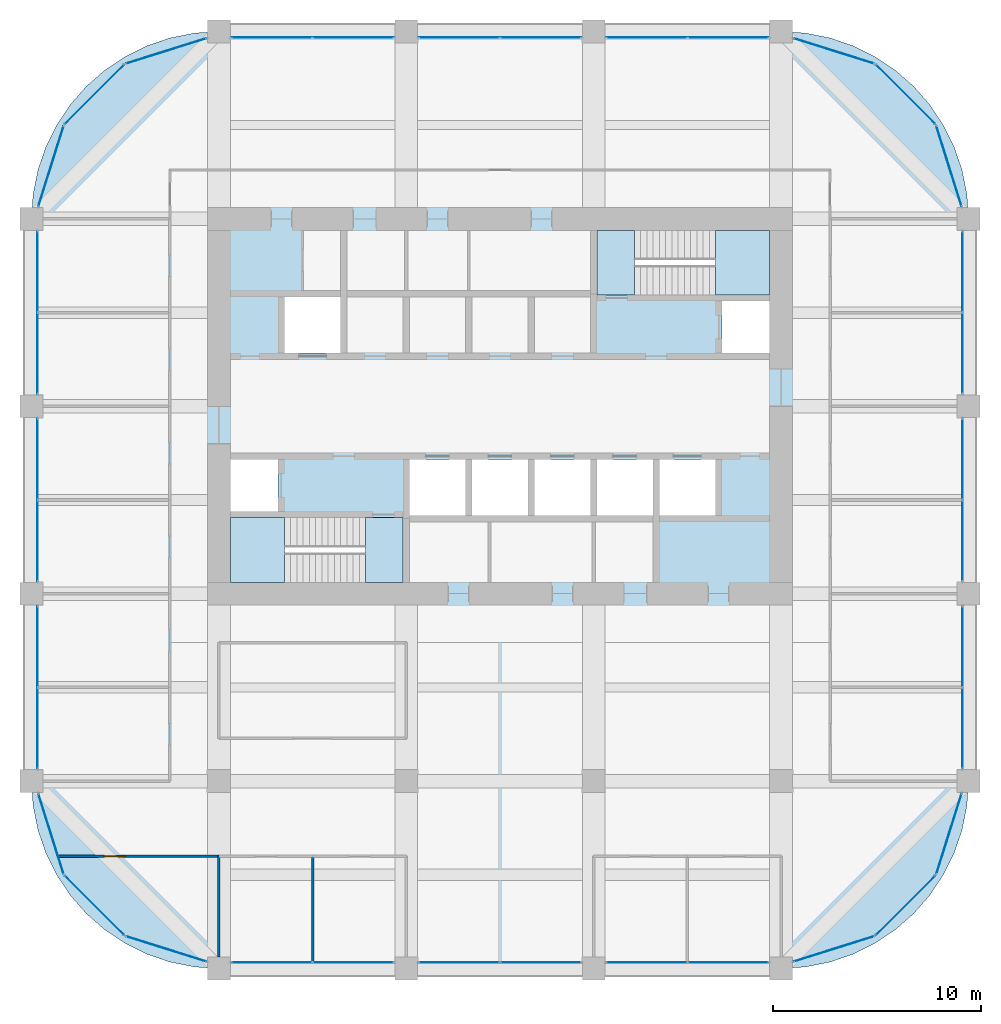
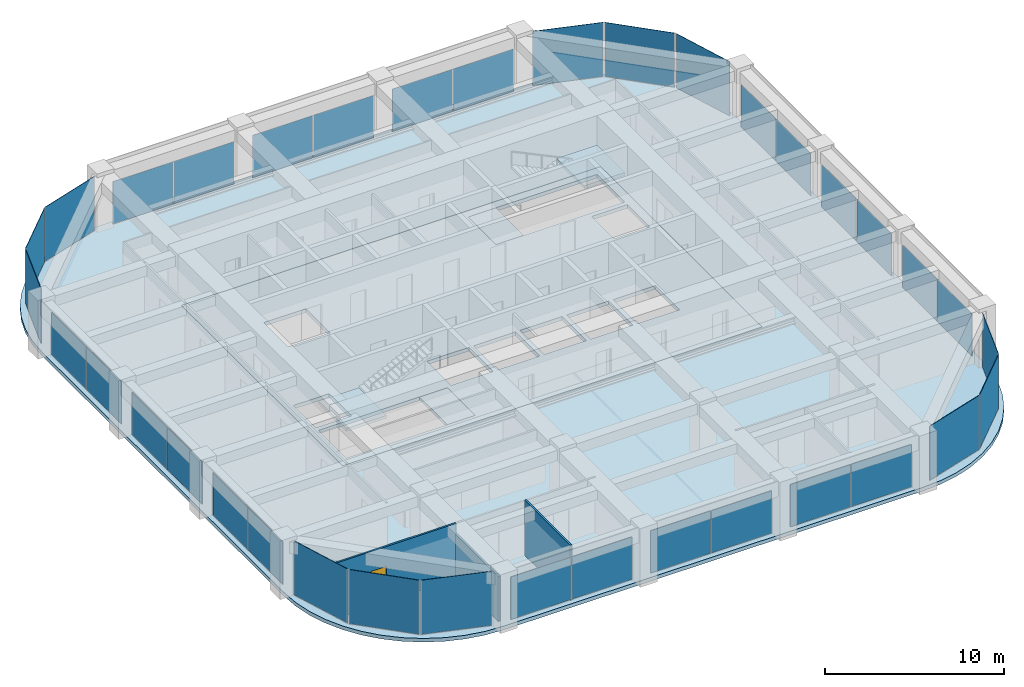
# One storey, part 40 of 44: 36 plates, 6 slabs, 3 walls, 1 door, 1 opening, 26 elements without a shape of their own.
"""IFC4 building model written with IfcOpenShell, lengths in metres."""

from ifc_helpers import new_model, si_unit, direction, frame, frame_2d, origin, origin_2d, place, context, subcontext, project, spatial, polyline, rectangle, outline, extrude, material, layer, layer_set, type_object, element, fill, aggregate, save


model = new_model("IFC4")

# Units and contexts
model_context = context("Model", 3, precision=1e-05, world=origin(), true_north=direction((0.0, 1.0)))
body_context = subcontext(model_context, "Body", "Model", "MODEL_VIEW")
ifc_project = project(units=[si_unit("LENGTHUNIT", "METRE"), si_unit("AREAUNIT", "SQUARE_METRE"), si_unit("VOLUMEUNIT", "CUBIC_METRE"), si_unit("PLANEANGLEUNIT", "RADIAN"), si_unit("MASSUNIT", "GRAM", prefix="KILO")], contexts=[model_context])

# Site, building, storey
site_placement = place(None, origin())
site = spatial("IfcSite", under=ifc_project, at=site_placement, CompositionType="ELEMENT")
building_placement = place(site_placement, origin())
building = spatial("IfcBuilding", under=site, at=building_placement, Name="Zorevar Civic Tower", CompositionType="ELEMENT")
storey_placement = place(building_placement, frame((0.0, 0.0, 259.39990234375)))
storey = spatial("IfcBuildingStorey", under=building, at=storey_placement, Name="L63", CompositionType="ELEMENT", Elevation=259.39990234375)

# Curtain wall, plates
ifc_material_1 = material(Name="Dark grey solar-control glass in black aluminium frame", Category="aluminium")
curtain_wall_type = type_object("IfcCurtainWallType", Name="Curtain wall CW5 top zone", PredefinedType="NOTDEFINED", material=ifc_material_1)
curtain_wall_1_placement = place(storey_placement, origin())
curtain_wall_1 = element("IfcCurtainWall", 1, at=curtain_wall_1_placement, inside=storey, type_object=curtain_wall_type, Name="CW5 L63", PredefinedType="NOTDEFINED")
ifc_material_2 = material(Name="Dark grey solar-control glass", Category="glass")
ifc_layer_1 = layer(ifc_material_2, 0.028076171875)
ifc_layer_set_1 = layer_set([ifc_layer_1], Name="CW5 panel 28")
plate_type = type_object("IfcPlateType", Name="CW5 panel 28", PredefinedType="CURTAIN_PANEL", material=ifc_layer_set_1)
plate_1_placement = place(storey_placement, frame((20.5400390625, 0.300048828125, 0.06005859375), z_axis=(0.0, 0.0, 1.0), x_axis=(1.0, 0.0, 0.0)))
plate_1 = element("IfcPlate", 2, at=plate_1_placement, type_object=plate_type, Name="CW5 panel 1.1", PredefinedType="CURTAIN_PANEL", context=body_context, shape_type="SweptSolid", body=[
    extrude(rectangle(XDim=3.860107421875, YDim=0.028076171875, at=origin_2d()), origin(), (0.0, 0.0, 1.0), 2.889892578125),
])
plate_2_placement = place(storey_placement, frame((24.4599609375, 0.300048828125, 0.06005859375), z_axis=(0.0, 0.0, 1.0), x_axis=(1.0, 0.0, 0.0)))
plate_2 = element("IfcPlate", 3, at=plate_2_placement, type_object=plate_type, Name="CW5 panel 2.1", PredefinedType="CURTAIN_PANEL", context=body_context, shape_type="SweptSolid", body=[
    extrude(rectangle(XDim=3.860107421875, YDim=0.028076171875, at=origin_2d()), origin(), (0.0, 0.0, 1.0), 2.889892578125),
])
aggregate(curtain_wall_1, [plate_1, plate_2])

curtain_wall_2_placement = place(storey_placement, origin())
curtain_wall_2 = element("IfcCurtainWall", 4, at=curtain_wall_2_placement, inside=storey, type_object=curtain_wall_type, Name="CW5 L63", PredefinedType="NOTDEFINED")
plate_3_placement = place(storey_placement, frame((20.5400390625, 44.699951171875, 0.06005859375), z_axis=(0.0, 0.0, 1.0), x_axis=(1.0, 0.0, 0.0)))
plate_3 = element("IfcPlate", 5, at=plate_3_placement, type_object=plate_type, Name="CW5 panel 1.1", PredefinedType="CURTAIN_PANEL", context=body_context, shape_type="SweptSolid", body=[
    extrude(rectangle(XDim=3.860107421875, YDim=0.028076171875, at=origin_2d()), origin(), (0.0, 0.0, 1.0), 2.889892578125),
])
plate_4_placement = place(storey_placement, frame((24.4599609375, 44.699951171875, 0.06005859375), z_axis=(0.0, 0.0, 1.0), x_axis=(1.0, 0.0, 0.0)))
plate_4 = element("IfcPlate", 6, at=plate_4_placement, type_object=plate_type, Name="CW5 panel 2.1", PredefinedType="CURTAIN_PANEL", context=body_context, shape_type="SweptSolid", body=[
    extrude(rectangle(XDim=3.860107421875, YDim=0.028076171875, at=origin_2d()), origin(), (0.0, 0.0, 1.0), 2.889892578125),
])
aggregate(curtain_wall_2, [plate_3, plate_4])

curtain_wall_3_placement = place(storey_placement, origin())
curtain_wall_3 = element("IfcCurtainWall", 7, at=curtain_wall_3_placement, inside=storey, type_object=curtain_wall_type, Name="CW5 L63", PredefinedType="NOTDEFINED")
plate_5_placement = place(storey_placement, frame((29.5400390625, 0.300048828125, 0.06005859375), z_axis=(0.0, 0.0, 1.0), x_axis=(1.0, 0.0, 0.0)))
plate_5 = element("IfcPlate", 8, at=plate_5_placement, type_object=plate_type, Name="CW5 panel 1.1", PredefinedType="CURTAIN_PANEL", context=body_context, shape_type="SweptSolid", body=[
    extrude(rectangle(XDim=3.860107421875, YDim=0.028076171875, at=origin_2d()), origin(), (0.0, 0.0, 1.0), 2.889892578125),
])
plate_6_placement = place(storey_placement, frame((33.4599609375, 0.300048828125, 0.06005859375), z_axis=(0.0, 0.0, 1.0), x_axis=(1.0, 0.0, 0.0)))
plate_6 = element("IfcPlate", 9, at=plate_6_placement, type_object=plate_type, Name="CW5 panel 2.1", PredefinedType="CURTAIN_PANEL", context=body_context, shape_type="SweptSolid", body=[
    extrude(rectangle(XDim=3.860107421875, YDim=0.028076171875, at=origin_2d()), origin(), (0.0, 0.0, 1.0), 2.889892578125),
])
aggregate(curtain_wall_3, [plate_5, plate_6])

curtain_wall_4_placement = place(storey_placement, origin())
curtain_wall_4 = element("IfcCurtainWall", 10, at=curtain_wall_4_placement, inside=storey, type_object=curtain_wall_type, Name="CW5 L63", PredefinedType="NOTDEFINED")
plate_7_placement = place(storey_placement, frame((29.5400390625, 44.699951171875, 0.06005859375), z_axis=(0.0, 0.0, 1.0), x_axis=(1.0, 0.0, 0.0)))
plate_7 = element("IfcPlate", 11, at=plate_7_placement, type_object=plate_type, Name="CW5 panel 1.1", PredefinedType="CURTAIN_PANEL", context=body_context, shape_type="SweptSolid", body=[
    extrude(rectangle(XDim=3.860107421875, YDim=0.028076171875, at=origin_2d()), origin(), (0.0, 0.0, 1.0), 2.889892578125),
])
plate_8_placement = place(storey_placement, frame((33.4599609375, 44.699951171875, 0.06005859375), z_axis=(0.0, 0.0, 1.0), x_axis=(1.0, 0.0, 0.0)))
plate_8 = element("IfcPlate", 12, at=plate_8_placement, type_object=plate_type, Name="CW5 panel 2.1", PredefinedType="CURTAIN_PANEL", context=body_context, shape_type="SweptSolid", body=[
    extrude(rectangle(XDim=3.860107421875, YDim=0.028076171875, at=origin_2d()), origin(), (0.0, 0.0, 1.0), 2.889892578125),
])
aggregate(curtain_wall_4, [plate_7, plate_8])

curtain_wall_5_placement = place(storey_placement, origin())
curtain_wall_5 = element("IfcCurtainWall", 13, at=curtain_wall_5_placement, inside=storey, type_object=curtain_wall_type, Name="CW5 L63", PredefinedType="NOTDEFINED")
plate_9_placement = place(storey_placement, frame((38.5400390625, 0.300048828125, 0.06005859375), z_axis=(0.0, 0.0, 1.0), x_axis=(1.0, 0.0, 0.0)))
plate_9 = element("IfcPlate", 14, at=plate_9_placement, type_object=plate_type, Name="CW5 panel 1.1", PredefinedType="CURTAIN_PANEL", context=body_context, shape_type="SweptSolid", body=[
    extrude(rectangle(XDim=3.860107421875, YDim=0.028076171875, at=origin_2d()), origin(), (0.0, 0.0, 1.0), 2.889892578125),
])
plate_10_placement = place(storey_placement, frame((42.4599609375, 0.300048828125, 0.06005859375), z_axis=(0.0, 0.0, 1.0), x_axis=(1.0, 0.0, 0.0)))
plate_10 = element("IfcPlate", 15, at=plate_10_placement, type_object=plate_type, Name="CW5 panel 2.1", PredefinedType="CURTAIN_PANEL", context=body_context, shape_type="SweptSolid", body=[
    extrude(rectangle(XDim=3.860107421875, YDim=0.028076171875, at=origin_2d()), origin(), (0.0, 0.0, 1.0), 2.889892578125),
])
aggregate(curtain_wall_5, [plate_9, plate_10])

curtain_wall_6_placement = place(storey_placement, origin())
curtain_wall_6 = element("IfcCurtainWall", 16, at=curtain_wall_6_placement, inside=storey, type_object=curtain_wall_type, Name="CW5 L63", PredefinedType="NOTDEFINED")
plate_11_placement = place(storey_placement, frame((38.5400390625, 44.699951171875, 0.06005859375), z_axis=(0.0, 0.0, 1.0), x_axis=(1.0, 0.0, 0.0)))
plate_11 = element("IfcPlate", 17, at=plate_11_placement, type_object=plate_type, Name="CW5 panel 1.1", PredefinedType="CURTAIN_PANEL", context=body_context, shape_type="SweptSolid", body=[
    extrude(rectangle(XDim=3.860107421875, YDim=0.028076171875, at=origin_2d()), origin(), (0.0, 0.0, 1.0), 2.889892578125),
])
plate_12_placement = place(storey_placement, frame((42.4599609375, 44.699951171875, 0.06005859375), z_axis=(0.0, 0.0, 1.0), x_axis=(1.0, 0.0, 0.0)))
plate_12 = element("IfcPlate", 18, at=plate_12_placement, type_object=plate_type, Name="CW5 panel 2.1", PredefinedType="CURTAIN_PANEL", context=body_context, shape_type="SweptSolid", body=[
    extrude(rectangle(XDim=3.860107421875, YDim=0.028076171875, at=origin_2d()), origin(), (0.0, 0.0, 1.0), 2.889892578125),
])
aggregate(curtain_wall_6, [plate_11, plate_12])

curtain_wall_7_placement = place(storey_placement, origin())
curtain_wall_7 = element("IfcCurtainWall", 19, at=curtain_wall_7_placement, inside=storey, type_object=curtain_wall_type, Name="CW5 L63", PredefinedType="NOTDEFINED")
plate_13_placement = place(storey_placement, frame((9.300048828125, 11.5400390625, 0.06005859375), z_axis=(0.0, 0.0, 1.0), x_axis=(0.0, 1.0, 0.0)))
plate_13 = element("IfcPlate", 20, at=plate_13_placement, type_object=plate_type, Name="CW5 panel 1.1", PredefinedType="CURTAIN_PANEL", context=body_context, shape_type="SweptSolid", body=[
    extrude(rectangle(XDim=3.860107421875, YDim=0.028076171875, at=origin_2d()), origin(), (0.0, 0.0, 1.0), 2.889892578125),
])
plate_14_placement = place(storey_placement, frame((9.300048828125, 15.4599609375, 0.06005859375), z_axis=(0.0, 0.0, 1.0), x_axis=(0.0, 1.0, 0.0)))
plate_14 = element("IfcPlate", 21, at=plate_14_placement, type_object=plate_type, Name="CW5 panel 2.1", PredefinedType="CURTAIN_PANEL", context=body_context, shape_type="SweptSolid", body=[
    extrude(rectangle(XDim=3.860107421875, YDim=0.028076171875, at=origin_2d()), origin(), (0.0, 0.0, 1.0), 2.889892578125),
])
aggregate(curtain_wall_7, [plate_13, plate_14])

curtain_wall_8_placement = place(storey_placement, origin())
curtain_wall_8 = element("IfcCurtainWall", 22, at=curtain_wall_8_placement, inside=storey, type_object=curtain_wall_type, Name="CW5 L63", PredefinedType="NOTDEFINED")
plate_15_placement = place(storey_placement, frame((53.699951171875, 11.5400390625, 0.06005859375), z_axis=(0.0, 0.0, 1.0), x_axis=(0.0, 1.0, 0.0)))
plate_15 = element("IfcPlate", 23, at=plate_15_placement, type_object=plate_type, Name="CW5 panel 1.1", PredefinedType="CURTAIN_PANEL", context=body_context, shape_type="SweptSolid", body=[
    extrude(rectangle(XDim=3.860107421875, YDim=0.028076171875, at=origin_2d()), origin(), (0.0, 0.0, 1.0), 2.889892578125),
])
plate_16_placement = place(storey_placement, frame((53.699951171875, 15.4599609375, 0.06005859375), z_axis=(0.0, 0.0, 1.0), x_axis=(0.0, 1.0, 0.0)))
plate_16 = element("IfcPlate", 24, at=plate_16_placement, type_object=plate_type, Name="CW5 panel 2.1", PredefinedType="CURTAIN_PANEL", context=body_context, shape_type="SweptSolid", body=[
    extrude(rectangle(XDim=3.860107421875, YDim=0.028076171875, at=origin_2d()), origin(), (0.0, 0.0, 1.0), 2.889892578125),
])
aggregate(curtain_wall_8, [plate_15, plate_16])

curtain_wall_9_placement = place(storey_placement, origin())
curtain_wall_9 = element("IfcCurtainWall", 25, at=curtain_wall_9_placement, inside=storey, type_object=curtain_wall_type, Name="CW5 L63", PredefinedType="NOTDEFINED")
plate_17_placement = place(storey_placement, frame((9.300048828125, 20.5400390625, 0.06005859375), z_axis=(0.0, 0.0, 1.0), x_axis=(0.0, 1.0, 0.0)))
plate_17 = element("IfcPlate", 26, at=plate_17_placement, type_object=plate_type, Name="CW5 panel 1.1", PredefinedType="CURTAIN_PANEL", context=body_context, shape_type="SweptSolid", body=[
    extrude(rectangle(XDim=3.860107421875, YDim=0.028076171875, at=origin_2d()), origin(), (0.0, 0.0, 1.0), 2.889892578125),
])
plate_18_placement = place(storey_placement, frame((9.300048828125, 24.4599609375, 0.06005859375), z_axis=(0.0, 0.0, 1.0), x_axis=(0.0, 1.0, 0.0)))
plate_18 = element("IfcPlate", 27, at=plate_18_placement, type_object=plate_type, Name="CW5 panel 2.1", PredefinedType="CURTAIN_PANEL", context=body_context, shape_type="SweptSolid", body=[
    extrude(rectangle(XDim=3.860107421875, YDim=0.028076171875, at=origin_2d()), origin(), (0.0, 0.0, 1.0), 2.889892578125),
])
aggregate(curtain_wall_9, [plate_17, plate_18])

curtain_wall_10_placement = place(storey_placement, origin())
curtain_wall_10 = element("IfcCurtainWall", 28, at=curtain_wall_10_placement, inside=storey, type_object=curtain_wall_type, Name="CW5 L63", PredefinedType="NOTDEFINED")
plate_19_placement = place(storey_placement, frame((53.699951171875, 20.5400390625, 0.06005859375), z_axis=(0.0, 0.0, 1.0), x_axis=(0.0, 1.0, 0.0)))
plate_19 = element("IfcPlate", 29, at=plate_19_placement, type_object=plate_type, Name="CW5 panel 1.1", PredefinedType="CURTAIN_PANEL", context=body_context, shape_type="SweptSolid", body=[
    extrude(rectangle(XDim=3.860107421875, YDim=0.028076171875, at=origin_2d()), origin(), (0.0, 0.0, 1.0), 2.889892578125),
])
plate_20_placement = place(storey_placement, frame((53.699951171875, 24.4599609375, 0.06005859375), z_axis=(0.0, 0.0, 1.0), x_axis=(0.0, 1.0, 0.0)))
plate_20 = element("IfcPlate", 30, at=plate_20_placement, type_object=plate_type, Name="CW5 panel 2.1", PredefinedType="CURTAIN_PANEL", context=body_context, shape_type="SweptSolid", body=[
    extrude(rectangle(XDim=3.860107421875, YDim=0.028076171875, at=origin_2d()), origin(), (0.0, 0.0, 1.0), 2.889892578125),
])
aggregate(curtain_wall_10, [plate_19, plate_20])

curtain_wall_11_placement = place(storey_placement, origin())
curtain_wall_11 = element("IfcCurtainWall", 31, at=curtain_wall_11_placement, inside=storey, type_object=curtain_wall_type, Name="CW5 L63", PredefinedType="NOTDEFINED")
plate_21_placement = place(storey_placement, frame((9.300048828125, 29.5400390625, 0.06005859375), z_axis=(0.0, 0.0, 1.0), x_axis=(0.0, 1.0, 0.0)))
plate_21 = element("IfcPlate", 32, at=plate_21_placement, type_object=plate_type, Name="CW5 panel 1.1", PredefinedType="CURTAIN_PANEL", context=body_context, shape_type="SweptSolid", body=[
    extrude(rectangle(XDim=3.860107421875, YDim=0.028076171875, at=origin_2d()), origin(), (0.0, 0.0, 1.0), 2.889892578125),
])
plate_22_placement = place(storey_placement, frame((9.300048828125, 33.4599609375, 0.06005859375), z_axis=(0.0, 0.0, 1.0), x_axis=(0.0, 1.0, 0.0)))
plate_22 = element("IfcPlate", 33, at=plate_22_placement, type_object=plate_type, Name="CW5 panel 2.1", PredefinedType="CURTAIN_PANEL", context=body_context, shape_type="SweptSolid", body=[
    extrude(rectangle(XDim=3.860107421875, YDim=0.028076171875, at=origin_2d()), origin(), (0.0, 0.0, 1.0), 2.889892578125),
])
aggregate(curtain_wall_11, [plate_21, plate_22])

curtain_wall_12_placement = place(storey_placement, origin())
curtain_wall_12 = element("IfcCurtainWall", 34, at=curtain_wall_12_placement, inside=storey, type_object=curtain_wall_type, Name="CW5 L63", PredefinedType="NOTDEFINED")
plate_23_placement = place(storey_placement, frame((53.699951171875, 29.5400390625, 0.06005859375), z_axis=(0.0, 0.0, 1.0), x_axis=(0.0, 1.0, 0.0)))
plate_23 = element("IfcPlate", 35, at=plate_23_placement, type_object=plate_type, Name="CW5 panel 1.1", PredefinedType="CURTAIN_PANEL", context=body_context, shape_type="SweptSolid", body=[
    extrude(rectangle(XDim=3.860107421875, YDim=0.028076171875, at=origin_2d()), origin(), (0.0, 0.0, 1.0), 2.889892578125),
])
plate_24_placement = place(storey_placement, frame((53.699951171875, 33.4599609375, 0.06005859375), z_axis=(0.0, 0.0, 1.0), x_axis=(0.0, 1.0, 0.0)))
plate_24 = element("IfcPlate", 36, at=plate_24_placement, type_object=plate_type, Name="CW5 panel 2.1", PredefinedType="CURTAIN_PANEL", context=body_context, shape_type="SweptSolid", body=[
    extrude(rectangle(XDim=3.860107421875, YDim=0.028076171875, at=origin_2d()), origin(), (0.0, 0.0, 1.0), 2.889892578125),
])
aggregate(curtain_wall_12, [plate_23, plate_24])

# Curtain wall, plate
curtain_wall_13_placement = place(storey_placement, origin())
curtain_wall_13 = element("IfcCurtainWall", 37, at=curtain_wall_13_placement, inside=storey, type_object=curtain_wall_type, Name="CW5 L63", PredefinedType="NOTDEFINED")
plate_25_placement = place(storey_placement, frame((47.52880859375, 0.938232421875, 0.06005859375), z_axis=(0.0, 0.0, 1.0), x_axis=(0.954153437674, 0.299317920238, 0.0)))
plate_25 = element("IfcPlate", 38, at=plate_25_placement, type_object=plate_type, Name="CW5 panel 1.1", PredefinedType="CURTAIN_PANEL", context=body_context, shape_type="SweptSolid", body=[
    extrude(rectangle(XDim=4.028076171875, YDim=0.028076171875, at=origin_2d()), origin(), (0.0, 0.0, 1.0), 3.68994140625),
])
aggregate(curtain_wall_13, [plate_25])

curtain_wall_14_placement = place(storey_placement, origin())
curtain_wall_14 = element("IfcCurtainWall", 39, at=curtain_wall_14_placement, inside=storey, type_object=curtain_wall_type, Name="CW5 L63", PredefinedType="NOTDEFINED")
plate_26_placement = place(storey_placement, frame((50.974365234375, 3.025634765625, 0.06005859375), z_axis=(0.0, 0.0, 1.0), x_axis=(0.707106781187, 0.707106781187, 0.0)))
plate_26 = element("IfcPlate", 40, at=plate_26_placement, type_object=plate_type, Name="CW5 panel 1.1", PredefinedType="CURTAIN_PANEL", context=body_context, shape_type="SweptSolid", body=[
    extrude(rectangle(XDim=4.028076171875, YDim=0.028076171875, at=origin_2d()), origin(), (0.0, 0.0, 1.0), 3.68994140625),
])
aggregate(curtain_wall_14, [plate_26])

curtain_wall_15_placement = place(storey_placement, origin())
curtain_wall_15 = element("IfcCurtainWall", 41, at=curtain_wall_15_placement, inside=storey, type_object=curtain_wall_type, Name="CW5 L63", PredefinedType="NOTDEFINED")
plate_27_placement = place(storey_placement, frame((53.061767578125, 6.47119140625, 0.06005859375), z_axis=(0.0, 0.0, 1.0), x_axis=(0.299317920238, 0.954153437674, 0.0)))
plate_27 = element("IfcPlate", 42, at=plate_27_placement, type_object=plate_type, Name="CW5 panel 1.1", PredefinedType="CURTAIN_PANEL", context=body_context, shape_type="SweptSolid", body=[
    extrude(rectangle(XDim=4.028076171875, YDim=0.028076171875, at=origin_2d()), origin(), (0.0, 0.0, 1.0), 3.68994140625),
])
aggregate(curtain_wall_15, [plate_27])

curtain_wall_16_placement = place(storey_placement, origin())
curtain_wall_16 = element("IfcCurtainWall", 43, at=curtain_wall_16_placement, inside=storey, type_object=curtain_wall_type, Name="CW5 L63", PredefinedType="NOTDEFINED")
plate_28_placement = place(storey_placement, frame((53.061767578125, 38.52880859375, 0.06005859375), z_axis=(0.0, 0.0, 1.0), x_axis=(-0.299317920238, 0.954153437674, 0.0)))
plate_28 = element("IfcPlate", 44, at=plate_28_placement, type_object=plate_type, Name="CW5 panel 1.1", PredefinedType="CURTAIN_PANEL", context=body_context, shape_type="SweptSolid", body=[
    extrude(rectangle(XDim=4.028076171875, YDim=0.028076171875, at=origin_2d()), origin(), (0.0, 0.0, 1.0), 3.68994140625),
])
aggregate(curtain_wall_16, [plate_28])

curtain_wall_17_placement = place(storey_placement, origin())
curtain_wall_17 = element("IfcCurtainWall", 45, at=curtain_wall_17_placement, inside=storey, type_object=curtain_wall_type, Name="CW5 L63", PredefinedType="NOTDEFINED")
plate_29_placement = place(storey_placement, frame((50.974365234375, 41.974365234375, 0.06005859375), z_axis=(0.0, 0.0, 1.0), x_axis=(-0.707106781187, 0.707106781187, 0.0)))
plate_29 = element("IfcPlate", 46, at=plate_29_placement, type_object=plate_type, Name="CW5 panel 1.1", PredefinedType="CURTAIN_PANEL", context=body_context, shape_type="SweptSolid", body=[
    extrude(rectangle(XDim=4.028076171875, YDim=0.028076171875, at=origin_2d()), origin(), (0.0, 0.0, 1.0), 3.68994140625),
])
aggregate(curtain_wall_17, [plate_29])

curtain_wall_18_placement = place(storey_placement, origin())
curtain_wall_18 = element("IfcCurtainWall", 47, at=curtain_wall_18_placement, inside=storey, type_object=curtain_wall_type, Name="CW5 L63", PredefinedType="NOTDEFINED")
plate_30_placement = place(storey_placement, frame((47.52880859375, 44.061767578125, 0.06005859375), z_axis=(0.0, 0.0, 1.0), x_axis=(-0.954153437674, 0.299317920238, 0.0)))
plate_30 = element("IfcPlate", 48, at=plate_30_placement, type_object=plate_type, Name="CW5 panel 1.1", PredefinedType="CURTAIN_PANEL", context=body_context, shape_type="SweptSolid", body=[
    extrude(rectangle(XDim=4.028076171875, YDim=0.028076171875, at=origin_2d()), origin(), (0.0, 0.0, 1.0), 3.68994140625),
])
aggregate(curtain_wall_18, [plate_30])

curtain_wall_19_placement = place(storey_placement, origin())
curtain_wall_19 = element("IfcCurtainWall", 49, at=curtain_wall_19_placement, inside=storey, type_object=curtain_wall_type, Name="CW5 L63", PredefinedType="NOTDEFINED")
plate_31_placement = place(storey_placement, frame((15.47119140625, 44.061767578125, 0.06005859375), z_axis=(0.0, 0.0, 1.0), x_axis=(-0.954153437674, -0.299317920238, 0.0)))
plate_31 = element("IfcPlate", 50, at=plate_31_placement, type_object=plate_type, Name="CW5 panel 1.1", PredefinedType="CURTAIN_PANEL", context=body_context, shape_type="SweptSolid", body=[
    extrude(rectangle(XDim=4.028076171875, YDim=0.028076171875, at=origin_2d()), origin(), (0.0, 0.0, 1.0), 3.68994140625),
])
aggregate(curtain_wall_19, [plate_31])

curtain_wall_20_placement = place(storey_placement, origin())
curtain_wall_20 = element("IfcCurtainWall", 51, at=curtain_wall_20_placement, inside=storey, type_object=curtain_wall_type, Name="CW5 L63", PredefinedType="NOTDEFINED")
plate_32_placement = place(storey_placement, frame((12.025634765625, 41.974365234375, 0.06005859375), z_axis=(0.0, 0.0, 1.0), x_axis=(-0.707106781187, -0.707106781187, 0.0)))
plate_32 = element("IfcPlate", 52, at=plate_32_placement, type_object=plate_type, Name="CW5 panel 1.1", PredefinedType="CURTAIN_PANEL", context=body_context, shape_type="SweptSolid", body=[
    extrude(rectangle(XDim=4.028076171875, YDim=0.028076171875, at=origin_2d()), origin(), (0.0, 0.0, 1.0), 3.68994140625),
])
aggregate(curtain_wall_20, [plate_32])

curtain_wall_21_placement = place(storey_placement, origin())
curtain_wall_21 = element("IfcCurtainWall", 53, at=curtain_wall_21_placement, inside=storey, type_object=curtain_wall_type, Name="CW5 L63", PredefinedType="NOTDEFINED")
plate_33_placement = place(storey_placement, frame((9.938232421875, 38.52880859375, 0.06005859375), z_axis=(0.0, 0.0, 1.0), x_axis=(-0.299317920238, -0.954153437674, 0.0)))
plate_33 = element("IfcPlate", 54, at=plate_33_placement, type_object=plate_type, Name="CW5 panel 1.1", PredefinedType="CURTAIN_PANEL", context=body_context, shape_type="SweptSolid", body=[
    extrude(rectangle(XDim=4.028076171875, YDim=0.028076171875, at=origin_2d()), origin(), (0.0, 0.0, 1.0), 3.68994140625),
])
aggregate(curtain_wall_21, [plate_33])

curtain_wall_22_placement = place(storey_placement, origin())
curtain_wall_22 = element("IfcCurtainWall", 55, at=curtain_wall_22_placement, inside=storey, type_object=curtain_wall_type, Name="CW5 L63", PredefinedType="NOTDEFINED")
plate_34_placement = place(storey_placement, frame((9.938232421875, 6.47119140625, 0.06005859375), z_axis=(0.0, 0.0, 1.0), x_axis=(0.299317920238, -0.954153437674, 0.0)))
plate_34 = element("IfcPlate", 56, at=plate_34_placement, type_object=plate_type, Name="CW5 panel 1.1", PredefinedType="CURTAIN_PANEL", context=body_context, shape_type="SweptSolid", body=[
    extrude(rectangle(XDim=4.028076171875, YDim=0.028076171875, at=origin_2d()), origin(), (0.0, 0.0, 1.0), 3.68994140625),
])
aggregate(curtain_wall_22, [plate_34])

curtain_wall_23_placement = place(storey_placement, origin())
curtain_wall_23 = element("IfcCurtainWall", 57, at=curtain_wall_23_placement, inside=storey, type_object=curtain_wall_type, Name="CW5 L63", PredefinedType="NOTDEFINED")
plate_35_placement = place(storey_placement, frame((12.025634765625, 3.025634765625, 0.06005859375), z_axis=(0.0, 0.0, 1.0), x_axis=(0.707106781187, -0.707106781187, 0.0)))
plate_35 = element("IfcPlate", 58, at=plate_35_placement, type_object=plate_type, Name="CW5 panel 1.1", PredefinedType="CURTAIN_PANEL", context=body_context, shape_type="SweptSolid", body=[
    extrude(rectangle(XDim=4.028076171875, YDim=0.028076171875, at=origin_2d()), origin(), (0.0, 0.0, 1.0), 3.68994140625),
])
aggregate(curtain_wall_23, [plate_35])

curtain_wall_24_placement = place(storey_placement, origin())
curtain_wall_24 = element("IfcCurtainWall", 59, at=curtain_wall_24_placement, inside=storey, type_object=curtain_wall_type, Name="CW5 L63", PredefinedType="NOTDEFINED")
plate_36_placement = place(storey_placement, frame((15.47119140625, 0.938232421875, 0.06005859375), z_axis=(0.0, 0.0, 1.0), x_axis=(0.954153437674, -0.299317920238, 0.0)))
plate_36 = element("IfcPlate", 60, at=plate_36_placement, type_object=plate_type, Name="CW5 panel 1.1", PredefinedType="CURTAIN_PANEL", context=body_context, shape_type="SweptSolid", body=[
    extrude(rectangle(XDim=4.028076171875, YDim=0.028076171875, at=origin_2d()), origin(), (0.0, 0.0, 1.0), 3.68994140625),
])
aggregate(curtain_wall_24, [plate_36])

# Slabs
ifc_material_3 = material(Name="Concrete C40/50", Category="concrete")
ifc_layer_2 = layer(ifc_material_3, 0.25)
ifc_layer_set_2 = layer_set([ifc_layer_2], Name="Floor slab 250")
slab_type_1 = type_object("IfcSlabType", Name="Floor slab 250", PredefinedType="FLOOR", material=ifc_layer_set_2)
slab_1_placement = place(storey_placement, frame((0.0, 0.0, -0.25)))
element("IfcSlab", 61, at=slab_1_placement, inside=storey, type_object=slab_type_1, Name="Floor slab L63", PredefinedType="FLOOR", context=body_context, shape_type="SweptSolid", body=[
    extrude(outline(polyline([(45.0, 0.0), (46.1748046875, 0.076904296875), (47.329345703125, 0.306640625), (48.444091796875, 0.68505859375), (49.5, 1.205810546875), (50.478759765625, 1.85986328125), (51.364013671875, 2.635986328125), (52.14013671875, 3.521240234375), (52.794189453125, 4.5), (53.31494140625, 5.555908203125), (53.693359375, 6.670654296875), (53.923095703125, 7.8251953125), (54.0, 9.0), (54.0, 36.0), (53.923095703125, 37.1748046875), (53.693359375, 38.329345703125), (53.31494140625, 39.444091796875), (52.794189453125, 40.5), (52.14013671875, 41.478759765625), (51.364013671875, 42.364013671875), (50.478759765625, 43.14013671875), (49.5, 43.794189453125), (48.444091796875, 44.31494140625), (47.329345703125, 44.693359375), (46.1748046875, 44.923095703125), (45.0, 45.0), (18.0, 45.0), (16.8251953125, 44.923095703125), (15.670654296875, 44.693359375), (14.555908203125, 44.31494140625), (13.5, 43.794189453125), (12.521240234375, 43.14013671875), (11.635986328125, 42.364013671875), (10.85986328125, 41.478759765625), (10.205810546875, 40.5), (9.68505859375, 39.444091796875), (9.306640625, 38.329345703125), (9.076904296875, 37.1748046875), (9.0, 36.0), (9.0, 9.0), (9.076904296875, 7.8251953125), (9.306640625, 6.670654296875), (9.68505859375, 5.555908203125), (10.205810546875, 4.5), (10.85986328125, 3.521240234375), (11.635986328125, 2.635986328125), (12.521240234375, 1.85986328125), (13.5, 1.205810546875), (14.555908203125, 0.68505859375), (15.670654296875, 0.306640625), (16.8251953125, 0.076904296875), (18.0, 0.0), (45.0, 0.0)]), holes=[polyline([(18.0, 18.0), (45.0, 18.0), (45.0, 36.0), (18.0, 36.0), (18.0, 18.0)])]), origin(), (0.0, 0.0, 1.0), 0.25),
])
slab_2_placement = place(storey_placement, frame((0.0, 0.0, -0.25)))
element("IfcSlab", 62, at=slab_2_placement, inside=storey, type_object=slab_type_1, Name="Core floor L63", PredefinedType="FLOOR", context=body_context, shape_type="SweptSolid", body=[
    extrude(outline(polyline([(18.0, 18.0), (45.0, 18.0), (45.0, 36.0), (18.0, 36.0), (18.0, 18.0)]), holes=[polyline([(18.550048828125, 18.550048828125), (26.85009765625, 18.550048828125), (26.85009765625, 21.64990234375), (18.550048828125, 21.64990234375), (18.550048828125, 18.550048828125)]), polyline([(36.14990234375, 32.35009765625), (44.449951171875, 32.35009765625), (44.449951171875, 35.449951171875), (36.14990234375, 35.449951171875), (36.14990234375, 32.35009765625)]), polyline([(18.550048828125, 21.949951171875), (20.85009765625, 21.949951171875), (20.85009765625, 24.449951171875), (18.550048828125, 24.449951171875), (18.550048828125, 21.949951171875)]), polyline([(42.14990234375, 29.550048828125), (44.449951171875, 29.550048828125), (44.449951171875, 32.050048828125), (42.14990234375, 32.050048828125), (42.14990234375, 29.550048828125)]), polyline([(27.14990234375, 21.75), (29.85009765625, 21.75), (29.85009765625, 24.449951171875), (27.14990234375, 24.449951171875), (27.14990234375, 21.75)]), polyline([(30.14990234375, 21.75), (32.85009765625, 21.75), (32.85009765625, 24.449951171875), (30.14990234375, 24.449951171875), (30.14990234375, 21.75)]), polyline([(33.14990234375, 21.75), (35.85009765625, 21.75), (35.85009765625, 24.449951171875), (33.14990234375, 24.449951171875), (33.14990234375, 21.75)]), polyline([(36.14990234375, 21.75), (38.85009765625, 21.75), (38.85009765625, 24.449951171875), (36.14990234375, 24.449951171875), (36.14990234375, 21.75)]), polyline([(39.14990234375, 21.75), (41.85009765625, 21.75), (41.85009765625, 24.449951171875), (39.14990234375, 24.449951171875), (39.14990234375, 21.75)]), polyline([(21.14990234375, 29.550048828125), (23.85009765625, 29.550048828125), (23.85009765625, 32.25), (21.14990234375, 32.25), (21.14990234375, 29.550048828125)])]), origin(), (0.0, 0.0, 1.0), 0.25),
])

# Stair, slabs
ifc_material_4 = material(Name="Precast concrete C40/50", Category="concrete")
stair_type = type_object("IfcStairType", Name="Stair ST 28R", PredefinedType="HALF_TURN_STAIR", material=ifc_material_4)
stair_1_placement = place(storey_placement, origin())
stair_1 = element("IfcStair", 63, at=stair_1_placement, inside=storey, type_object=stair_type, Name="Stair ST1 L63", PredefinedType="HALF_TURN_STAIR")
ifc_material_5 = material(Name="Concrete C40/50", Category="concrete")
ifc_layer_3 = layer(ifc_material_5, 0.199951171875)
ifc_layer_set_3 = layer_set([ifc_layer_3], Name="Stair landing 200")
slab_type_2 = type_object("IfcSlabType", Name="Stair landing 200", PredefinedType="LANDING", material=ifc_layer_set_3)
slab_3_placement = place(storey_placement, frame((0.0, 0.0, -0.199951171875)))
slab_3 = element("IfcSlab", 64, at=slab_3_placement, type_object=slab_type_2, Name="ST1 landing 1", PredefinedType="LANDING", context=body_context, shape_type="SweptSolid", body=[
    extrude(outline(polyline([(25.050048828125, 18.550048828125), (26.85009765625, 18.550048828125), (26.85009765625, 21.64990234375), (25.050048828125, 21.64990234375), (25.050048828125, 18.550048828125)])), origin(), (0.0, 0.0, 1.0), 0.199951171875),
])
slab_4_placement = place(storey_placement, frame((0.0, 0.0, 1.800048828125)))
slab_4 = element("IfcSlab", 65, at=slab_4_placement, type_object=slab_type_2, Name="ST1 landing 2", PredefinedType="LANDING", context=body_context, shape_type="SweptSolid", body=[
    extrude(outline(polyline([(18.550048828125, 18.550048828125), (21.14990234375, 18.550048828125), (21.14990234375, 21.64990234375), (18.550048828125, 21.64990234375), (18.550048828125, 18.550048828125)])), origin(), (0.0, 0.0, 1.0), 0.199951171875),
])
aggregate(stair_1, [slab_3, slab_4])

stair_2_placement = place(storey_placement, origin())
stair_2 = element("IfcStair", 66, at=stair_2_placement, inside=storey, type_object=stair_type, Name="Stair ST2 L63", PredefinedType="HALF_TURN_STAIR")
slab_5_placement = place(storey_placement, frame((0.0, 0.0, -0.199951171875)))
slab_5 = element("IfcSlab", 67, at=slab_5_placement, type_object=slab_type_2, Name="ST2 landing 1", PredefinedType="LANDING", context=body_context, shape_type="SweptSolid", body=[
    extrude(outline(polyline([(37.949951171875, 32.35009765625), (36.14990234375, 32.35009765625), (36.14990234375, 35.449951171875), (37.949951171875, 35.449951171875), (37.949951171875, 32.35009765625)])), origin(), (0.0, 0.0, 1.0), 0.199951171875),
])
slab_6_placement = place(storey_placement, frame((0.0, 0.0, 1.800048828125)))
slab_6 = element("IfcSlab", 68, at=slab_6_placement, type_object=slab_type_2, Name="ST2 landing 2", PredefinedType="LANDING", context=body_context, shape_type="SweptSolid", body=[
    extrude(outline(polyline([(44.449951171875, 32.35009765625), (41.85009765625, 32.35009765625), (41.85009765625, 35.449951171875), (44.449951171875, 35.449951171875), (44.449951171875, 32.35009765625)])), origin(), (0.0, 0.0, 1.0), 0.199951171875),
])
aggregate(stair_2, [slab_5, slab_6])

# Wall, opening, door
ifc_material_6 = material(Name="Gypsum board on steel studs", Category="steel")
ifc_layer_4 = layer(ifc_material_6, 0.1201171875)
ifc_layer_set_4 = layer_set([ifc_layer_4], Name="Partition 120")
wall_type = type_object("IfcWallType", Name="Partition 120", PredefinedType="PARTITIONING", material=ifc_layer_set_4)
wall_1_placement = place(storey_placement, frame((10.309814453125, 5.39990234375, 0.0), z_axis=(0.0, 0.0, 1.0), x_axis=(1.0, 0.0, 0.0)))
wall_1 = element("IfcWall", 69, at=wall_1_placement, inside=storey, type_object=wall_type, Name="Partition 120 L63", PredefinedType="PARTITIONING", context=body_context, shape_type="SweptSolid", body=[
    extrude(rectangle(XDim=7.690185546875, YDim=0.1201171875, at=frame_2d((3.84521484375, 0.0))), origin(), (0.0, 0.0, 1.0), 3.75),
])
opening_placement = place(wall_1_placement, frame((2.190185546875, 0.0, 0.0)))
opening = element("IfcOpeningElement", 70, at=opening_placement, cuts=wall_1, Name="Opening L63.21", PredefinedType="OPENING", context=body_context, shape_type="SweptSolid", body=[
    extrude(rectangle(XDim=1.0, YDim=2.39990234375, at=frame_2d((0.5, 1.199951171875))), frame((0.0, 0.070068359375, 0.0), z_axis=(0.0, -1.0, 0.0), x_axis=(1.0, 0.0, 0.0)), (0.0, 0.0, 1.0), 0.14013671875),
])
ifc_material_7 = material(Name="Timber door set", Category="wood")
door_type = type_object("IfcDoorType", Name="Door D1 1000x2400", OperationType="SINGLE_SWING_LEFT", PredefinedType="DOOR", material=ifc_material_7)
door_placement = place(opening_placement, origin())
door = element("IfcDoor", 71, at=door_placement, inside=storey, type_object=door_type, Name="Door L63 D1", OperationType="SINGLE_SWING_RIGHT", OverallHeight=2.39990234375, OverallWidth=1.0, PredefinedType="DOOR", context=body_context, shape_type="SweptSolid", body=[
    extrude(rectangle(XDim=1.0, YDim=2.39990234375, at=frame_2d((0.5, 1.199951171875))), frame((0.0, 0.02490234375, 0.0), z_axis=(0.0, -1.0, 0.0), x_axis=(1.0, 0.0, 0.0)), (0.0, 0.0, 1.0), 0.050048828125),
])
fill(opening, door)

# Walls
wall_2_placement = place(storey_placement, frame((18.0, 0.550048828125, 0.0), z_axis=(0.0, 0.0, 1.0), x_axis=(0.0, 1.0, 0.0)))
element("IfcWall", 72, at=wall_2_placement, inside=storey, type_object=wall_type, Name="Partition 120 L63", PredefinedType="PARTITIONING", context=body_context, shape_type="SweptSolid", body=[
    extrude(rectangle(XDim=4.849853515625, YDim=0.1201171875, at=frame_2d((2.4248046875, 0.0))), origin(), (0.0, 0.0, 1.0), 3.050048828125),
])
wall_3_placement = place(storey_placement, frame((22.5, 0.31005859375, 0.0), z_axis=(0.0, 0.0, 1.0), x_axis=(0.0, 1.0, 0.0)))
element("IfcWall", 73, at=wall_3_placement, inside=storey, type_object=wall_type, Name="Partition 120 L63", PredefinedType="PARTITIONING", context=body_context, shape_type="SweptSolid", body=[
    extrude(rectangle(XDim=5.08984375, YDim=0.1201171875, at=frame_2d((2.544921875, 0.0))), origin(), (0.0, 0.0, 1.0), 3.75),
])

save(model, "model.ifc")
